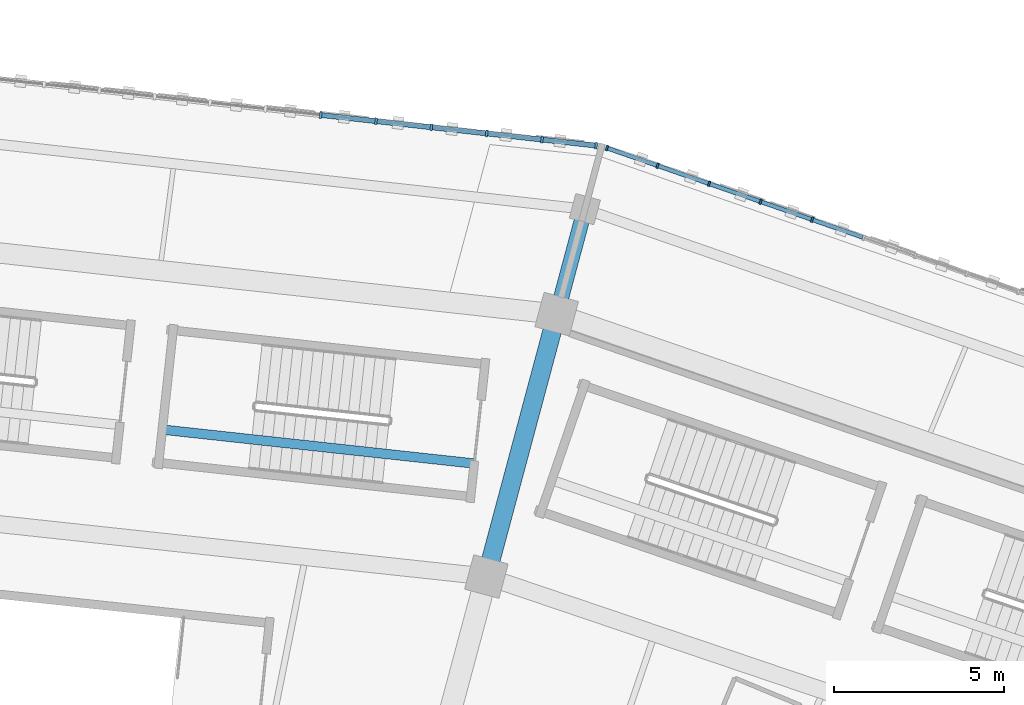
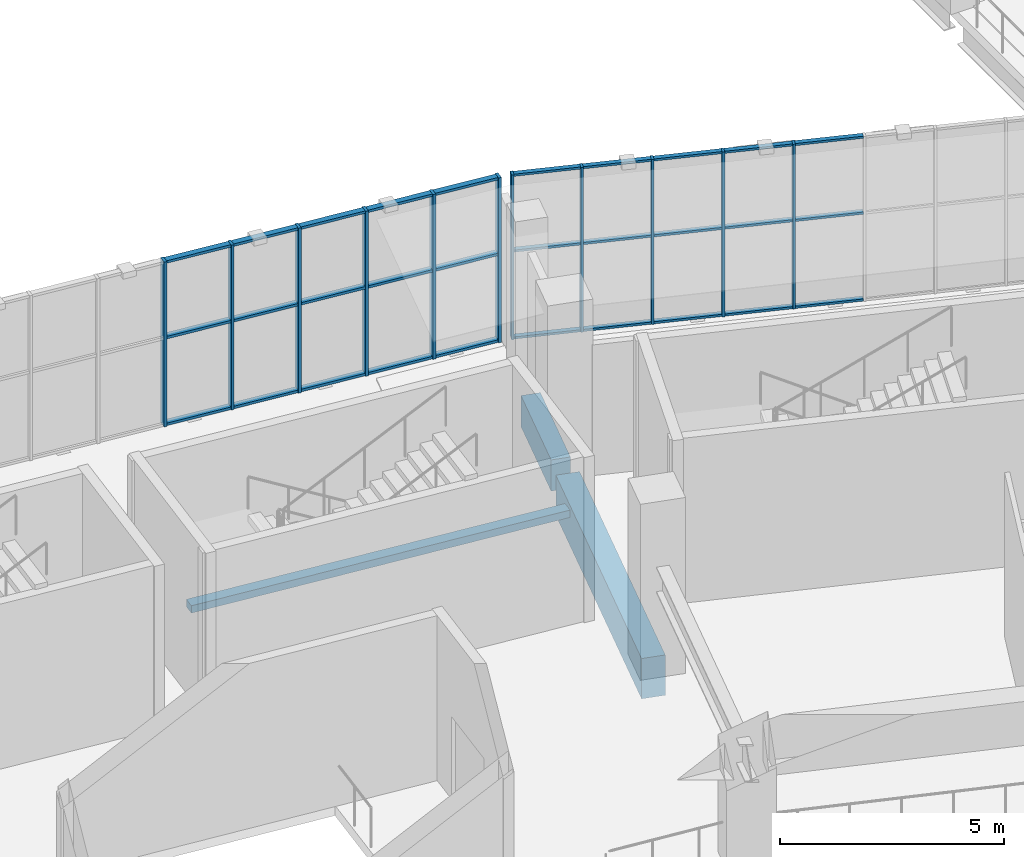
# One storey, part 67 of 179: 41 members, 3 beams, 2 elements without a shape of their own.
"""IFC4 building model written with IfcOpenShell, lengths in metres."""

from ifc_helpers import new_model, si_unit, direction, frame, origin, origin_2d, place, context, subcontext, project, spatial, rectangle, extrude, material, material_profile, profile_set, type_object, element, aggregate, save


model = new_model("IFC4")

# Units and contexts
model_context = context("Model", 3, precision=1e-05, world=origin(), true_north=direction((0.0, 1.0)))
body_context = subcontext(model_context, "Body", "Model", "MODEL_VIEW")
ifc_project = project(units=[si_unit("LENGTHUNIT", "METRE"), si_unit("AREAUNIT", "SQUARE_METRE"), si_unit("VOLUMEUNIT", "CUBIC_METRE"), si_unit("PLANEANGLEUNIT", "RADIAN"), si_unit("MASSUNIT", "GRAM", prefix="KILO")], contexts=[model_context])

# Site, building, storey
site_placement = place(None, origin())
site = spatial("IfcSite", under=ifc_project, at=site_placement, CompositionType="ELEMENT")
building_placement = place(site_placement, origin())
building = spatial("IfcBuilding", under=site, at=building_placement, Name="Zevraka Park Crest Stadium", CompositionType="ELEMENT")
storey_placement = place(building_placement, frame((0.0, 0.0, 10.199951171875)))
storey = spatial("IfcBuildingStorey", under=building, at=storey_placement, Name="L02", CompositionType="ELEMENT", Elevation=10.199951171875)

# Beams
ifc_material_1 = material(Name="Concrete C40/50", Category="concrete")
ifc_material_profile_1 = material_profile(ifc_material_1, rectangle(XDim=0.550048828125, YDim=1.10009765625, at=origin_2d()), Name="RC 1100x550")
ifc_profile_set_1 = profile_set([ifc_material_profile_1], Name="Concrete C40/50")
beam_type_1 = type_object("IfcBeamType", Name="BG02", PredefinedType="BEAM", material=ifc_profile_set_1)
beam_1_placement = place(storey_placement, frame((133.37890625, 157.297119140625, -0.56005859375), z_axis=(0.258697599806, 0.965958359276, 0.0), x_axis=(-0.965958359276, 0.258697599806, 0.0)))
element("IfcBeam", 1, at=beam_1_placement, inside=storey, type_object=beam_type_1, Name="Radial Girder BG02 L02-CD-05", PredefinedType="BEAM", context=body_context, shape_type="SweptSolid", body=[
    extrude(rectangle(XDim=0.550048828125, YDim=1.10009765625, at=origin_2d()), origin(), (0.0, 0.0, 1.0), 7.39892578125),
])
ifc_material_2 = material(Name="Concrete C40/50", Category="concrete")
ifc_material_profile_2 = material_profile(ifc_material_2, rectangle(XDim=0.449951171875, YDim=0.85009765625, at=origin_2d()), Name="RC 850x450")
ifc_profile_set_2 = profile_set([ifc_material_profile_2], Name="Concrete C40/50")
beam_type_2 = type_object("IfcBeamType", Name="BG03", PredefinedType="BEAM", material=ifc_profile_set_2)
beam_2_placement = place(storey_placement, frame((135.448974609375, 165.02392578125, -0.43505859375), z_axis=(0.258919157159, 0.965898995784, 0.0), x_axis=(-0.965898995784, 0.258919157159, 0.0)))
element("IfcBeam", 2, at=beam_2_placement, inside=storey, type_object=beam_type_2, Name="Radial Girder BG03 L02-DE-05", PredefinedType="BEAM", context=body_context, shape_type="SweptSolid", body=[
    extrude(rectangle(XDim=0.449951171875, YDim=0.85009765625, at=origin_2d()), origin(), (0.0, 0.0, 1.0), 2.599609375),
])

# Curtain wall, members
ifc_material_3 = material(Name="Anodised architectural aluminium and laminated safety glass", Category="aluminium")
curtain_wall_type_1 = type_object("IfcCurtainWallType", Name="CW07", PredefinedType="NOTDEFINED", material=ifc_material_3)
curtain_wall_1_placement = place(storey_placement, origin())
curtain_wall_1 = element("IfcCurtainWall", 3, at=curtain_wall_1_placement, inside=storey, type_object=curtain_wall_type_1, Name="Unitised Ring Curtain Wall CW07 L02-04", PredefinedType="NOTDEFINED")
ifc_material_4 = material(Name="Anodised architectural aluminium", Category="aluminium")
ifc_material_profile_3 = material_profile(ifc_material_4, rectangle(XDim=0.159912109375, YDim=0.06005859375, at=origin_2d()), Name="ALU MULLION 160x60")
ifc_profile_set_3 = profile_set([ifc_material_profile_3], Name="Anodised architectural aluminium")
member_type_1 = type_object("IfcMemberType", Name="CM01", PredefinedType="MULLION", material=ifc_profile_set_3)
member_1_placement = place(storey_placement, frame((142.89453125, 167.515380859375, 0.0), z_axis=(0.0, 0.0, 1.0), x_axis=(-0.329618886002, -0.944114076789, 0.0)))
member_1 = element("IfcMember", 4, at=member_1_placement, type_object=member_type_1, Name="CW07 mullion 12", PredefinedType="MULLION", context=body_context, shape_type="SweptSolid", body=[
    extrude(rectangle(XDim=0.159912109375, YDim=0.06005859375, at=origin_2d()), origin(), (0.0, 0.0, 1.0), 4.5),
])
member_2_placement = place(storey_placement, frame((141.376708984375, 168.045166015625, 0.0), z_axis=(0.0, 0.0, 1.0), x_axis=(-0.329618886002, -0.944114076789, 0.0)))
member_2 = element("IfcMember", 5, at=member_2_placement, type_object=member_type_1, Name="CW07 mullion 13", PredefinedType="MULLION", context=body_context, shape_type="SweptSolid", body=[
    extrude(rectangle(XDim=0.159912109375, YDim=0.06005859375, at=origin_2d()), origin(), (0.0, 0.0, 1.0), 4.5),
])
member_3_placement = place(storey_placement, frame((139.858642578125, 168.5751953125, 0.0), z_axis=(0.0, 0.0, 1.0), x_axis=(-0.329618886002, -0.944114076789, 0.0)))
member_3 = element("IfcMember", 6, at=member_3_placement, type_object=member_type_1, Name="CW07 mullion 14", PredefinedType="MULLION", context=body_context, shape_type="SweptSolid", body=[
    extrude(rectangle(XDim=0.159912109375, YDim=0.06005859375, at=origin_2d()), origin(), (0.0, 0.0, 1.0), 4.5),
])
member_4_placement = place(storey_placement, frame((138.3408203125, 169.10498046875, 0.0), z_axis=(0.0, 0.0, 1.0), x_axis=(-0.329618886002, -0.944114076789, 0.0)))
member_4 = element("IfcMember", 7, at=member_4_placement, type_object=member_type_1, Name="CW07 mullion 15", PredefinedType="MULLION", context=body_context, shape_type="SweptSolid", body=[
    extrude(rectangle(XDim=0.159912109375, YDim=0.06005859375, at=origin_2d()), origin(), (0.0, 0.0, 1.0), 4.5),
])
member_5_placement = place(storey_placement, frame((136.851318359375, 169.625, 0.0), z_axis=(0.0, 0.0, 1.0), x_axis=(-0.329618886002, -0.944114076789, 0.0)))
member_5 = element("IfcMember", 8, at=member_5_placement, type_object=member_type_1, Name="CW07 mullion 16", PredefinedType="MULLION", context=body_context, shape_type="SweptSolid", body=[
    extrude(rectangle(XDim=0.159912109375, YDim=0.06005859375, at=origin_2d()), origin(), (0.0, 0.0, 1.0), 4.5),
])

ifc_material_5 = material(Name="Anodised architectural aluminium and laminated safety glass", Category="aluminium")
curtain_wall_type_2 = type_object("IfcCurtainWallType", Name="CW06", PredefinedType="NOTDEFINED", material=ifc_material_5)
curtain_wall_2_placement = place(storey_placement, origin())
curtain_wall_2 = element("IfcCurtainWall", 9, at=curtain_wall_2_placement, inside=storey, type_object=curtain_wall_type_2, Name="Unitised Ring Curtain Wall CW06 L02-05", PredefinedType="NOTDEFINED")
ifc_material_6 = material(Name="Anodised architectural aluminium", Category="aluminium")
ifc_material_profile_4 = material_profile(ifc_material_6, rectangle(XDim=0.199951171875, YDim=0.070068359375, at=origin_2d()), Name="ALU MULLION 200x70")
ifc_profile_set_4 = profile_set([ifc_material_profile_4], Name="Anodised architectural aluminium")
member_type_2 = type_object("IfcMemberType", Name="CM03", PredefinedType="MULLION", material=ifc_profile_set_4)
member_6_placement = place(storey_placement, frame((136.5341796875, 169.69677734375, 0.0), z_axis=(0.0, 0.0, 1.0), x_axis=(-0.110293152687, -0.993899099743, 0.0)))
member_6 = element("IfcMember", 10, at=member_6_placement, type_object=member_type_2, Name="CW06 mullion 1", PredefinedType="MULLION", context=body_context, shape_type="SweptSolid", body=[
    extrude(rectangle(XDim=0.199951171875, YDim=0.070068359375, at=origin_2d()), origin(), (0.0, 0.0, 1.0), 4.5),
])
member_7_placement = place(storey_placement, frame((134.939697265625, 169.873779296875, 0.0), z_axis=(0.0, 0.0, 1.0), x_axis=(-0.110293152687, -0.993899099743, 0.0)))
member_7 = element("IfcMember", 11, at=member_7_placement, type_object=member_type_2, Name="CW06 mullion 2", PredefinedType="MULLION", context=body_context, shape_type="SweptSolid", body=[
    extrude(rectangle(XDim=0.199951171875, YDim=0.070068359375, at=origin_2d()), origin(), (0.0, 0.0, 1.0), 4.5),
])
member_8_placement = place(storey_placement, frame((133.310546875, 170.0546875, 0.0), z_axis=(0.0, 0.0, 1.0), x_axis=(-0.110293152687, -0.993899099743, 0.0)))
member_8 = element("IfcMember", 12, at=member_8_placement, type_object=member_type_2, Name="CW06 mullion 3", PredefinedType="MULLION", context=body_context, shape_type="SweptSolid", body=[
    extrude(rectangle(XDim=0.199951171875, YDim=0.070068359375, at=origin_2d()), origin(), (0.0, 0.0, 1.0), 4.5),
])
member_9_placement = place(storey_placement, frame((131.68115234375, 170.2353515625, 0.0), z_axis=(0.0, 0.0, 1.0), x_axis=(-0.110293152687, -0.993899099743, 0.0)))
member_9 = element("IfcMember", 13, at=member_9_placement, type_object=member_type_2, Name="CW06 mullion 4", PredefinedType="MULLION", context=body_context, shape_type="SweptSolid", body=[
    extrude(rectangle(XDim=0.199951171875, YDim=0.070068359375, at=origin_2d()), origin(), (0.0, 0.0, 1.0), 4.5),
])
member_10_placement = place(storey_placement, frame((130.052001953125, 170.416259765625, 0.0), z_axis=(0.0, 0.0, 1.0), x_axis=(-0.110293152687, -0.993899099743, 0.0)))
member_10 = element("IfcMember", 14, at=member_10_placement, type_object=member_type_2, Name="CW06 mullion 5", PredefinedType="MULLION", context=body_context, shape_type="SweptSolid", body=[
    extrude(rectangle(XDim=0.199951171875, YDim=0.070068359375, at=origin_2d()), origin(), (0.0, 0.0, 1.0), 4.5),
])
member_11_placement = place(storey_placement, frame((128.422607421875, 170.596923828125, 0.0), z_axis=(0.0, 0.0, 1.0), x_axis=(-0.110293152687, -0.993899099743, 0.0)))
member_11 = element("IfcMember", 15, at=member_11_placement, type_object=member_type_2, Name="CW06 mullion 6", PredefinedType="MULLION", context=body_context, shape_type="SweptSolid", body=[
    extrude(rectangle(XDim=0.199951171875, YDim=0.070068359375, at=origin_2d()), origin(), (0.0, 0.0, 1.0), 4.5),
])

# Member
ifc_material_7 = material(Name="Anodised architectural aluminium", Category="aluminium")
ifc_material_profile_5 = material_profile(ifc_material_7, rectangle(XDim=0.1201171875, YDim=0.06005859375, at=origin_2d()), Name="ALU TRANSOM 120x60")
ifc_profile_set_5 = profile_set([ifc_material_profile_5], Name="Anodised architectural aluminium")
member_type_3 = type_object("IfcMemberType", Name="CT01", PredefinedType="USERDEFINED", material=ifc_profile_set_5)
member_12_placement = place(storey_placement, frame((144.384033203125, 166.9951171875, 0.030029296875), z_axis=(-0.944091748578, 0.329682832837, 0.0), x_axis=(-0.329682832837, -0.944091748578, 0.0)))
member_12 = element("IfcMember", 16, at=member_12_placement, type_object=member_type_3, Name="CW07 transom 11.1", ObjectType="TRANSOM", PredefinedType="USERDEFINED", context=body_context, shape_type="SweptSolid", body=[
    extrude(rectangle(XDim=0.1201171875, YDim=0.06005859375, at=origin_2d()), origin(), (0.0, 0.0, 1.0), 1.547607421875),
])

member_13_placement = place(storey_placement, frame((144.384033203125, 166.9951171875, 2.400146484375), z_axis=(-0.944091748578, 0.329682832837, 0.0), x_axis=(-0.329682832837, -0.944091748578, 0.0)))
member_13 = element("IfcMember", 17, at=member_13_placement, type_object=member_type_3, Name="CW07 transom 11.2", ObjectType="TRANSOM", PredefinedType="USERDEFINED", context=body_context, shape_type="SweptSolid", body=[
    extrude(rectangle(XDim=0.1201171875, YDim=0.06005859375, at=origin_2d()), origin(), (0.0, 0.0, 1.0), 1.547607421875),
])

member_14_placement = place(storey_placement, frame((144.384033203125, 166.9951171875, 4.469970703125), z_axis=(-0.944091748578, 0.329682832837, 0.0), x_axis=(-0.329682832837, -0.944091748578, 0.0)))
member_14 = element("IfcMember", 18, at=member_14_placement, type_object=member_type_3, Name="CW07 transom 11.3", ObjectType="TRANSOM", PredefinedType="USERDEFINED", context=body_context, shape_type="SweptSolid", body=[
    extrude(rectangle(XDim=0.1201171875, YDim=0.06005859375, at=origin_2d()), origin(), (0.0, 0.0, 1.0), 1.547607421875),
])

member_15_placement = place(storey_placement, frame((142.8662109375, 167.525146484375, 0.030029296875), z_axis=(-0.944091748578, 0.329682832837, 0.0), x_axis=(-0.329682832837, -0.944091748578, 0.0)))
member_15 = element("IfcMember", 19, at=member_15_placement, type_object=member_type_3, Name="CW07 transom 12.1", ObjectType="TRANSOM", PredefinedType="USERDEFINED", context=body_context, shape_type="SweptSolid", body=[
    extrude(rectangle(XDim=0.1201171875, YDim=0.06005859375, at=origin_2d()), origin(), (0.0, 0.0, 1.0), 1.547607421875),
])

member_16_placement = place(storey_placement, frame((142.8662109375, 167.525146484375, 2.400146484375), z_axis=(-0.944091748578, 0.329682832837, 0.0), x_axis=(-0.329682832837, -0.944091748578, 0.0)))
member_16 = element("IfcMember", 20, at=member_16_placement, type_object=member_type_3, Name="CW07 transom 12.2", ObjectType="TRANSOM", PredefinedType="USERDEFINED", context=body_context, shape_type="SweptSolid", body=[
    extrude(rectangle(XDim=0.1201171875, YDim=0.06005859375, at=origin_2d()), origin(), (0.0, 0.0, 1.0), 1.547607421875),
])

member_17_placement = place(storey_placement, frame((142.8662109375, 167.525146484375, 4.469970703125), z_axis=(-0.944091748578, 0.329682832837, 0.0), x_axis=(-0.329682832837, -0.944091748578, 0.0)))
member_17 = element("IfcMember", 21, at=member_17_placement, type_object=member_type_3, Name="CW07 transom 12.3", ObjectType="TRANSOM", PredefinedType="USERDEFINED", context=body_context, shape_type="SweptSolid", body=[
    extrude(rectangle(XDim=0.1201171875, YDim=0.06005859375, at=origin_2d()), origin(), (0.0, 0.0, 1.0), 1.547607421875),
])

member_18_placement = place(storey_placement, frame((141.348388671875, 168.05517578125, 0.030029296875), z_axis=(-0.944157965945, 0.329493149158, 0.0), x_axis=(-0.329493149158, -0.944157965945, 0.0)))
member_18 = element("IfcMember", 22, at=member_18_placement, type_object=member_type_3, Name="CW07 transom 13.1", ObjectType="TRANSOM", PredefinedType="USERDEFINED", context=body_context, shape_type="SweptSolid", body=[
    extrude(rectangle(XDim=0.1201171875, YDim=0.06005859375, at=origin_2d()), origin(), (0.0, 0.0, 1.0), 1.5478515625),
])

member_19_placement = place(storey_placement, frame((141.348388671875, 168.05517578125, 2.400146484375), z_axis=(-0.944157965945, 0.329493149158, 0.0), x_axis=(-0.329493149158, -0.944157965945, 0.0)))
member_19 = element("IfcMember", 23, at=member_19_placement, type_object=member_type_3, Name="CW07 transom 13.2", ObjectType="TRANSOM", PredefinedType="USERDEFINED", context=body_context, shape_type="SweptSolid", body=[
    extrude(rectangle(XDim=0.1201171875, YDim=0.06005859375, at=origin_2d()), origin(), (0.0, 0.0, 1.0), 1.5478515625),
])

member_20_placement = place(storey_placement, frame((141.348388671875, 168.05517578125, 4.469970703125), z_axis=(-0.944157965945, 0.329493149158, 0.0), x_axis=(-0.329493149158, -0.944157965945, 0.0)))
member_20 = element("IfcMember", 24, at=member_20_placement, type_object=member_type_3, Name="CW07 transom 13.3", ObjectType="TRANSOM", PredefinedType="USERDEFINED", context=body_context, shape_type="SweptSolid", body=[
    extrude(rectangle(XDim=0.1201171875, YDim=0.06005859375, at=origin_2d()), origin(), (0.0, 0.0, 1.0), 1.5478515625),
])

member_21_placement = place(storey_placement, frame((139.830322265625, 168.5849609375, 0.030029296875), z_axis=(-0.944091748578, 0.329682832837, 0.0), x_axis=(-0.329682832837, -0.944091748578, 0.0)))
member_21 = element("IfcMember", 25, at=member_21_placement, type_object=member_type_3, Name="CW07 transom 14.1", ObjectType="TRANSOM", PredefinedType="USERDEFINED", context=body_context, shape_type="SweptSolid", body=[
    extrude(rectangle(XDim=0.1201171875, YDim=0.06005859375, at=origin_2d()), origin(), (0.0, 0.0, 1.0), 1.547607421875),
])

member_22_placement = place(storey_placement, frame((139.830322265625, 168.5849609375, 2.400146484375), z_axis=(-0.944091748578, 0.329682832837, 0.0), x_axis=(-0.329682832837, -0.944091748578, 0.0)))
member_22 = element("IfcMember", 26, at=member_22_placement, type_object=member_type_3, Name="CW07 transom 14.2", ObjectType="TRANSOM", PredefinedType="USERDEFINED", context=body_context, shape_type="SweptSolid", body=[
    extrude(rectangle(XDim=0.1201171875, YDim=0.06005859375, at=origin_2d()), origin(), (0.0, 0.0, 1.0), 1.547607421875),
])

member_23_placement = place(storey_placement, frame((139.830322265625, 168.5849609375, 4.469970703125), z_axis=(-0.944091748578, 0.329682832837, 0.0), x_axis=(-0.329682832837, -0.944091748578, 0.0)))
member_23 = element("IfcMember", 27, at=member_23_placement, type_object=member_type_3, Name="CW07 transom 14.3", ObjectType="TRANSOM", PredefinedType="USERDEFINED", context=body_context, shape_type="SweptSolid", body=[
    extrude(rectangle(XDim=0.1201171875, YDim=0.06005859375, at=origin_2d()), origin(), (0.0, 0.0, 1.0), 1.547607421875),
])

member_24_placement = place(storey_placement, frame((138.3125, 169.114990234375, 0.030029296875), z_axis=(-0.944116383241, 0.329612279649, 0.0), x_axis=(-0.329612279649, -0.944116383241, 0.0)))
member_24 = element("IfcMember", 28, at=member_24_placement, type_object=member_type_3, Name="CW07 transom 15.1", ObjectType="TRANSOM", PredefinedType="USERDEFINED", context=body_context, shape_type="SweptSolid", body=[
    extrude(rectangle(XDim=0.1201171875, YDim=0.06005859375, at=origin_2d()), origin(), (0.0, 0.0, 1.0), 1.517578125),
])

member_25_placement = place(storey_placement, frame((138.3125, 169.114990234375, 2.400146484375), z_axis=(-0.944116383241, 0.329612279649, 0.0), x_axis=(-0.329612279649, -0.944116383241, 0.0)))
member_25 = element("IfcMember", 29, at=member_25_placement, type_object=member_type_3, Name="CW07 transom 15.2", ObjectType="TRANSOM", PredefinedType="USERDEFINED", context=body_context, shape_type="SweptSolid", body=[
    extrude(rectangle(XDim=0.1201171875, YDim=0.06005859375, at=origin_2d()), origin(), (0.0, 0.0, 1.0), 1.517578125),
])

member_26_placement = place(storey_placement, frame((138.3125, 169.114990234375, 4.469970703125), z_axis=(-0.944116383241, 0.329612279649, 0.0), x_axis=(-0.329612279649, -0.944116383241, 0.0)))
member_26 = element("IfcMember", 30, at=member_26_placement, type_object=member_type_3, Name="CW07 transom 15.3", ObjectType="TRANSOM", PredefinedType="USERDEFINED", context=body_context, shape_type="SweptSolid", body=[
    extrude(rectangle(XDim=0.1201171875, YDim=0.06005859375, at=origin_2d()), origin(), (0.0, 0.0, 1.0), 1.517578125),
])

aggregate(curtain_wall_1, [member_1, member_2, member_3, member_4, member_5, member_12, member_13, member_14, member_15, member_16, member_17, member_18, member_19, member_20, member_21, member_22, member_23, member_24, member_25, member_26])

ifc_material_8 = material(Name="Anodised architectural aluminium", Category="aluminium")
ifc_material_profile_6 = material_profile(ifc_material_8, rectangle(XDim=0.14990234375, YDim=0.070068359375, at=origin_2d()), Name="ALU TRANSOM 150x70")
ifc_profile_set_6 = profile_set([ifc_material_profile_6], Name="Anodised architectural aluminium")
member_type_4 = type_object("IfcMemberType", Name="CT03", PredefinedType="USERDEFINED", material=ifc_profile_set_6)
member_27_placement = place(storey_placement, frame((136.49951171875, 169.70068359375, 0.03515625), z_axis=(-0.993901187296, 0.110274339224, 0.0), x_axis=(-0.110274339224, -0.993901187296, 0.0)))
member_27 = element("IfcMember", 31, at=member_27_placement, type_object=member_type_4, Name="CW06 transom 1.1", ObjectType="TRANSOM", PredefinedType="USERDEFINED", context=body_context, shape_type="SweptSolid", body=[
    extrude(rectangle(XDim=0.14990234375, YDim=0.070068359375, at=origin_2d()), origin(), (0.0, 0.0, 1.0), 1.5341796875),
])

member_28_placement = place(storey_placement, frame((136.49951171875, 169.70068359375, 2.400146484375), z_axis=(-0.993901187296, 0.110274339224, 0.0), x_axis=(-0.110274339224, -0.993901187296, 0.0)))
member_28 = element("IfcMember", 32, at=member_28_placement, type_object=member_type_4, Name="CW06 transom 1.2", ObjectType="TRANSOM", PredefinedType="USERDEFINED", context=body_context, shape_type="SweptSolid", body=[
    extrude(rectangle(XDim=0.14990234375, YDim=0.070068359375, at=origin_2d()), origin(), (0.0, 0.0, 1.0), 1.5341796875),
])

member_29_placement = place(storey_placement, frame((136.49951171875, 169.70068359375, 4.465087890625), z_axis=(-0.993901187296, 0.110274339224, 0.0), x_axis=(-0.110274339224, -0.993901187296, 0.0)))
member_29 = element("IfcMember", 33, at=member_29_placement, type_object=member_type_4, Name="CW06 transom 1.3", ObjectType="TRANSOM", PredefinedType="USERDEFINED", context=body_context, shape_type="SweptSolid", body=[
    extrude(rectangle(XDim=0.14990234375, YDim=0.070068359375, at=origin_2d()), origin(), (0.0, 0.0, 1.0), 1.5341796875),
])

member_30_placement = place(storey_placement, frame((134.905029296875, 169.877685546875, 0.03515625), z_axis=(-0.993898902271, 0.110294932182, 0.0), x_axis=(-0.110294932182, -0.993898902271, 0.0)))
member_30 = element("IfcMember", 34, at=member_30_placement, type_object=member_type_4, Name="CW06 transom 2.1", ObjectType="TRANSOM", PredefinedType="USERDEFINED", context=body_context, shape_type="SweptSolid", body=[
    extrude(rectangle(XDim=0.14990234375, YDim=0.070068359375, at=origin_2d()), origin(), (0.0, 0.0, 1.0), 1.5693359375),
])

member_31_placement = place(storey_placement, frame((134.905029296875, 169.877685546875, 2.400146484375), z_axis=(-0.993898902271, 0.110294932182, 0.0), x_axis=(-0.110294932182, -0.993898902271, 0.0)))
member_31 = element("IfcMember", 35, at=member_31_placement, type_object=member_type_4, Name="CW06 transom 2.2", ObjectType="TRANSOM", PredefinedType="USERDEFINED", context=body_context, shape_type="SweptSolid", body=[
    extrude(rectangle(XDim=0.14990234375, YDim=0.070068359375, at=origin_2d()), origin(), (0.0, 0.0, 1.0), 1.5693359375),
])

member_32_placement = place(storey_placement, frame((134.905029296875, 169.877685546875, 4.465087890625), z_axis=(-0.993898902271, 0.110294932182, 0.0), x_axis=(-0.110294932182, -0.993898902271, 0.0)))
member_32 = element("IfcMember", 36, at=member_32_placement, type_object=member_type_4, Name="CW06 transom 2.3", ObjectType="TRANSOM", PredefinedType="USERDEFINED", context=body_context, shape_type="SweptSolid", body=[
    extrude(rectangle(XDim=0.14990234375, YDim=0.070068359375, at=origin_2d()), origin(), (0.0, 0.0, 1.0), 1.5693359375),
])

member_33_placement = place(storey_placement, frame((133.275634765625, 170.058349609375, 0.03515625), z_axis=(-0.993897009399, 0.11031198805, 0.0), x_axis=(-0.11031198805, -0.993897009399, 0.0)))
member_33 = element("IfcMember", 37, at=member_33_placement, type_object=member_type_4, Name="CW06 transom 3.1", ObjectType="TRANSOM", PredefinedType="USERDEFINED", context=body_context, shape_type="SweptSolid", body=[
    extrude(rectangle(XDim=0.14990234375, YDim=0.070068359375, at=origin_2d()), origin(), (0.0, 0.0, 1.0), 1.569091796875),
])

member_34_placement = place(storey_placement, frame((133.275634765625, 170.058349609375, 2.400146484375), z_axis=(-0.993897009399, 0.11031198805, 0.0), x_axis=(-0.11031198805, -0.993897009399, 0.0)))
member_34 = element("IfcMember", 38, at=member_34_placement, type_object=member_type_4, Name="CW06 transom 3.2", ObjectType="TRANSOM", PredefinedType="USERDEFINED", context=body_context, shape_type="SweptSolid", body=[
    extrude(rectangle(XDim=0.14990234375, YDim=0.070068359375, at=origin_2d()), origin(), (0.0, 0.0, 1.0), 1.569091796875),
])

member_35_placement = place(storey_placement, frame((133.275634765625, 170.058349609375, 4.465087890625), z_axis=(-0.993897009399, 0.11031198805, 0.0), x_axis=(-0.11031198805, -0.993897009399, 0.0)))
member_35 = element("IfcMember", 39, at=member_35_placement, type_object=member_type_4, Name="CW06 transom 3.3", ObjectType="TRANSOM", PredefinedType="USERDEFINED", context=body_context, shape_type="SweptSolid", body=[
    extrude(rectangle(XDim=0.14990234375, YDim=0.070068359375, at=origin_2d()), origin(), (0.0, 0.0, 1.0), 1.569091796875),
])

member_36_placement = place(storey_placement, frame((131.646484375, 170.2392578125, 0.03515625), z_axis=(-0.993898902271, 0.110294932182, 0.0), x_axis=(-0.110294932182, -0.993898902271, 0.0)))
member_36 = element("IfcMember", 40, at=member_36_placement, type_object=member_type_4, Name="CW06 transom 4.1", ObjectType="TRANSOM", PredefinedType="USERDEFINED", context=body_context, shape_type="SweptSolid", body=[
    extrude(rectangle(XDim=0.14990234375, YDim=0.070068359375, at=origin_2d()), origin(), (0.0, 0.0, 1.0), 1.5693359375),
])

member_37_placement = place(storey_placement, frame((131.646484375, 170.2392578125, 2.400146484375), z_axis=(-0.993898902271, 0.110294932182, 0.0), x_axis=(-0.110294932182, -0.993898902271, 0.0)))
member_37 = element("IfcMember", 41, at=member_37_placement, type_object=member_type_4, Name="CW06 transom 4.2", ObjectType="TRANSOM", PredefinedType="USERDEFINED", context=body_context, shape_type="SweptSolid", body=[
    extrude(rectangle(XDim=0.14990234375, YDim=0.070068359375, at=origin_2d()), origin(), (0.0, 0.0, 1.0), 1.5693359375),
])

member_38_placement = place(storey_placement, frame((131.646484375, 170.2392578125, 4.465087890625), z_axis=(-0.993898902271, 0.110294932182, 0.0), x_axis=(-0.110294932182, -0.993898902271, 0.0)))
member_38 = element("IfcMember", 42, at=member_38_placement, type_object=member_type_4, Name="CW06 transom 4.3", ObjectType="TRANSOM", PredefinedType="USERDEFINED", context=body_context, shape_type="SweptSolid", body=[
    extrude(rectangle(XDim=0.14990234375, YDim=0.070068359375, at=origin_2d()), origin(), (0.0, 0.0, 1.0), 1.5693359375),
])

member_39_placement = place(storey_placement, frame((130.01708984375, 170.420166015625, 0.03515625), z_axis=(-0.993897009399, 0.11031198805, 0.0), x_axis=(-0.11031198805, -0.993897009399, 0.0)))
member_39 = element("IfcMember", 43, at=member_39_placement, type_object=member_type_4, Name="CW06 transom 5.1", ObjectType="TRANSOM", PredefinedType="USERDEFINED", context=body_context, shape_type="SweptSolid", body=[
    extrude(rectangle(XDim=0.14990234375, YDim=0.070068359375, at=origin_2d()), origin(), (0.0, 0.0, 1.0), 1.569091796875),
])

member_40_placement = place(storey_placement, frame((130.01708984375, 170.420166015625, 2.400146484375), z_axis=(-0.993897009399, 0.11031198805, 0.0), x_axis=(-0.11031198805, -0.993897009399, 0.0)))
member_40 = element("IfcMember", 44, at=member_40_placement, type_object=member_type_4, Name="CW06 transom 5.2", ObjectType="TRANSOM", PredefinedType="USERDEFINED", context=body_context, shape_type="SweptSolid", body=[
    extrude(rectangle(XDim=0.14990234375, YDim=0.070068359375, at=origin_2d()), origin(), (0.0, 0.0, 1.0), 1.569091796875),
])

member_41_placement = place(storey_placement, frame((130.01708984375, 170.420166015625, 4.465087890625), z_axis=(-0.993897009399, 0.11031198805, 0.0), x_axis=(-0.11031198805, -0.993897009399, 0.0)))
member_41 = element("IfcMember", 45, at=member_41_placement, type_object=member_type_4, Name="CW06 transom 5.3", ObjectType="TRANSOM", PredefinedType="USERDEFINED", context=body_context, shape_type="SweptSolid", body=[
    extrude(rectangle(XDim=0.14990234375, YDim=0.070068359375, at=origin_2d()), origin(), (0.0, 0.0, 1.0), 1.569091796875),
])

aggregate(curtain_wall_2, [member_6, member_7, member_8, member_9, member_10, member_11, member_27, member_28, member_29, member_30, member_31, member_32, member_33, member_34, member_35, member_36, member_37, member_38, member_39, member_40, member_41])

# Beam
ifc_material_9 = material(Name="Concrete C40/50", Category="concrete")
ifc_material_profile_7 = material_profile(ifc_material_9, rectangle(XDim=0.280029296875, YDim=0.199951171875, at=origin_2d()), Name="RC 200x280")
ifc_profile_set_7 = profile_set([ifc_material_profile_7], Name="Concrete C40/50")
beam_type_3 = type_object("IfcBeamType", Name="SJ13", PredefinedType="JOIST", material=ifc_profile_set_7)
beam_3_placement = place(storey_placement, frame((132.91796875, 160.3369140625, 2.300048828125), z_axis=(-0.994127809114, 0.108212287404, 0.0), x_axis=(-0.108212287404, -0.994127809114, 0.0)))
element("IfcBeam", 46, at=beam_3_placement, inside=storey, type_object=beam_type_3, Name="Stair Upper-Flight Longitudinal Stringer SJ13 ST06-L02", PredefinedType="JOIST", context=body_context, shape_type="SweptSolid", body=[
    extrude(rectangle(XDim=0.280029296875, YDim=0.199951171875, at=origin_2d()), origin(), (0.0, 0.0, 1.0), 9.25),
])

save(model, "model.ifc")
